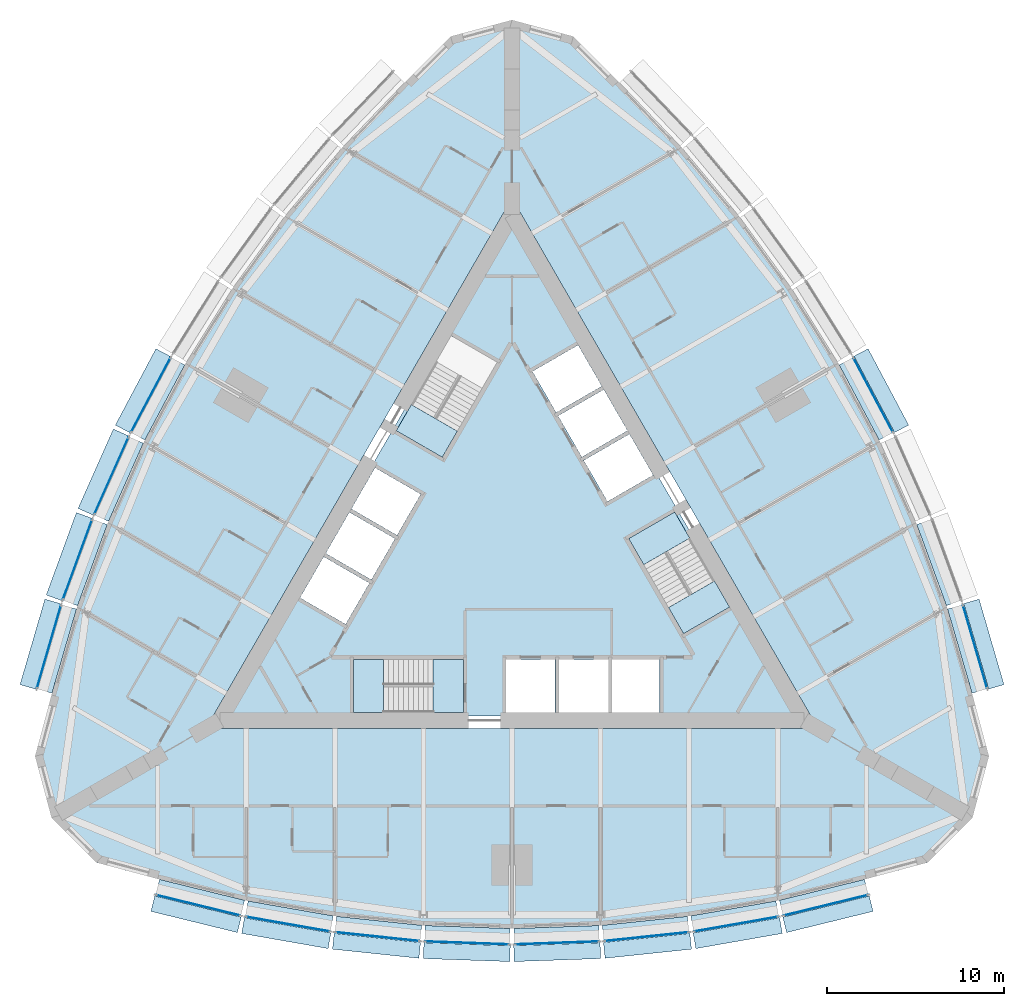
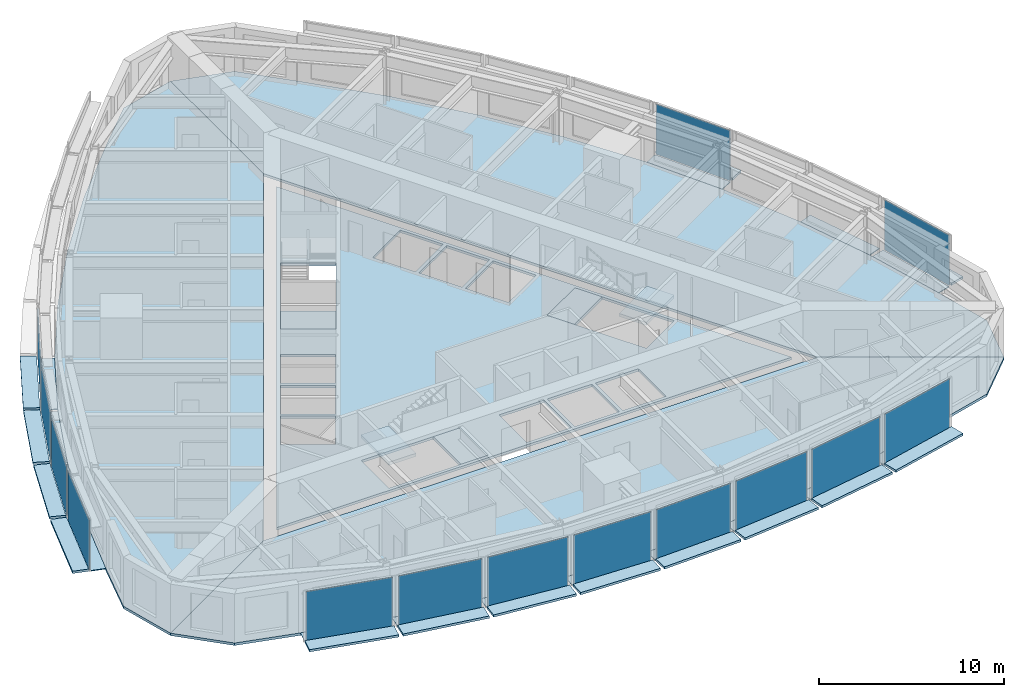
# One storey, part 6 of 14: 43 plates, 9 slabs, 17 elements without a shape of their own.
"""IFC4 building model written with IfcOpenShell, lengths in metres."""

from ifc_helpers import new_model, si_unit, direction, frame, origin, origin_2d, place, context, subcontext, project, spatial, polyline, rectangle, outline, extrude, material, layer, layer_set, type_object, element, aggregate, save


model = new_model("IFC4")

# Units and contexts
model_context = context("Model", 3, precision=1e-05, world=origin(), true_north=direction((0.0, 1.0)))
body_context = subcontext(model_context, "Body", "Model", "MODEL_VIEW")
ifc_project = project(units=[si_unit("LENGTHUNIT", "METRE"), si_unit("AREAUNIT", "SQUARE_METRE"), si_unit("VOLUMEUNIT", "CUBIC_METRE"), si_unit("PLANEANGLEUNIT", "RADIAN"), si_unit("MASSUNIT", "GRAM", prefix="KILO")], contexts=[model_context])

# Site, building, storey
site_placement = place(None, origin())
site = spatial("IfcSite", under=ifc_project, at=site_placement, CompositionType="ELEMENT")
building_placement = place(site_placement, origin())
building = spatial("IfcBuilding", under=site, at=building_placement, Name="Trikona Tower", CompositionType="ELEMENT")
storey_placement = place(building_placement, frame((0.0, 0.0, 175.89990234375)))
storey = spatial("IfcBuildingStorey", under=building, at=storey_placement, Name="L47", CompositionType="ELEMENT", Elevation=175.89990234375)

# Plates
ifc_material_1 = material(Name="Aluminium bar grating", Category="aluminium")
ifc_layer_1 = layer(ifc_material_1, 0.050048828125)
ifc_layer_set_1 = layer_set([ifc_layer_1], Name="Cavity catwalk grating")
plate_type_1 = type_object("IfcPlateType", Name="Cavity catwalk grating", PredefinedType="USERDEFINED", material=ifc_layer_set_1)
plate_1_placement = place(storey_placement, frame((-17.598876953125, -19.49072265625, -0.0498046875), z_axis=(0.0, 0.0, 1.0), x_axis=(0.971274411564, -0.237962218516, 0.0)))
element("IfcPlate", 1, at=plate_1_placement, inside=storey, type_object=plate_type_1, Name="Cavity catwalk L47-00", ObjectType="CATWALK GRATING", PredefinedType="USERDEFINED", context=body_context, shape_type="SweptSolid", body=[
    extrude(rectangle(XDim=4.947998046875, YDim=0.830078125, at=origin_2d()), origin(), (0.0, 0.0, 1.0), 0.050048828125),
])
plate_2_placement = place(storey_placement, frame((-12.571533203125, -20.54638671875, -0.0498046875), z_axis=(0.0, 0.0, 1.0), x_axis=(0.985030604067, -0.172379549401, 0.0)))
element("IfcPlate", 2, at=plate_2_placement, inside=storey, type_object=plate_type_1, Name="Cavity catwalk L47-01", ObjectType="CATWALK GRATING", PredefinedType="USERDEFINED", context=body_context, shape_type="SweptSolid", body=[
    extrude(rectangle(XDim=4.8759765625, YDim=0.830078125, at=origin_2d()), origin(), (0.0, 0.0, 1.0), 0.050048828125),
])
plate_3_placement = place(storey_placement, frame((-7.543212890625, -21.25048828125, -0.0498046875), z_axis=(0.0, 0.0, 1.0), x_axis=(0.994532653854, -0.104426052392, 0.0)))
element("IfcPlate", 3, at=plate_3_placement, inside=storey, type_object=plate_type_1, Name="Cavity catwalk L47-02", ObjectType="CATWALK GRATING", PredefinedType="USERDEFINED", context=body_context, shape_type="SweptSolid", body=[
    extrude(rectangle(XDim=4.827392578125, YDim=0.830078125, at=origin_2d()), origin(), (0.0, 0.0, 1.0), 0.050048828125),
])
for number, where, z_axis, x_axis, name in (
    (4, (-2.514404296875, -21.602294921875, -0.0498046875), (0.0, 0.0, 1.0), (0.999388082937, -0.034977988567, 0.0), "Cavity catwalk L47-03"),
    (5, (2.514404296875, -21.602294921875, -0.0498046875), (0.0, 0.0, 1.0), (0.999388082937, 0.034977988567, 0.0), "Cavity catwalk L47-04"),
):
    element("IfcPlate", number, at=place(storey_placement, frame(where, z_axis=z_axis, x_axis=x_axis)), inside=storey, type_object=plate_type_1, Name=name, ObjectType="CATWALK GRATING", PredefinedType="USERDEFINED", context=body_context, shape_type="SweptSolid", body=[
        extrude(rectangle(XDim=4.802978515625, YDim=0.830078125, at=origin_2d()), origin(), (0.0, 0.0, 1.0), 0.050048828125),
    ])
plate_4_placement = place(storey_placement, frame((7.543212890625, -21.25048828125, -0.0498046875), z_axis=(0.0, 0.0, 1.0), x_axis=(0.994532653854, 0.104426052392, 0.0)))
element("IfcPlate", 6, at=plate_4_placement, inside=storey, type_object=plate_type_1, Name="Cavity catwalk L47-05", ObjectType="CATWALK GRATING", PredefinedType="USERDEFINED", context=body_context, shape_type="SweptSolid", body=[
    extrude(rectangle(XDim=4.827392578125, YDim=0.830078125, at=origin_2d()), origin(), (0.0, 0.0, 1.0), 0.050048828125),
])
plate_5_placement = place(storey_placement, frame((12.571533203125, -20.54638671875, -0.0498046875), z_axis=(0.0, 0.0, 1.0), x_axis=(0.985030604067, 0.172379549401, 0.0)))
element("IfcPlate", 7, at=plate_5_placement, inside=storey, type_object=plate_type_1, Name="Cavity catwalk L47-06", ObjectType="CATWALK GRATING", PredefinedType="USERDEFINED", context=body_context, shape_type="SweptSolid", body=[
    extrude(rectangle(XDim=4.8759765625, YDim=0.830078125, at=origin_2d()), origin(), (0.0, 0.0, 1.0), 0.050048828125),
])
plate_6_placement = place(storey_placement, frame((17.598876953125, -19.49072265625, -0.0498046875), z_axis=(0.0, 0.0, 1.0), x_axis=(0.971274411564, 0.237962218516, 0.0)))
element("IfcPlate", 8, at=plate_6_placement, inside=storey, type_object=plate_type_1, Name="Cavity catwalk L47-07", ObjectType="CATWALK GRATING", PredefinedType="USERDEFINED", context=body_context, shape_type="SweptSolid", body=[
    extrude(rectangle(XDim=4.947998046875, YDim=0.830078125, at=origin_2d()), origin(), (0.0, 0.0, 1.0), 0.050048828125),
])
plate_7_placement = place(storey_placement, frame((25.678955078125, -5.49560546875, -0.0498046875), z_axis=(0.0, 0.0, 1.0), x_axis=(-0.279554203664, 0.960129911634, 0.0)))
element("IfcPlate", 9, at=plate_7_placement, inside=storey, type_object=plate_type_1, Name="Cavity catwalk L47-12", ObjectType="CATWALK GRATING", PredefinedType="USERDEFINED", context=body_context, shape_type="SweptSolid", body=[
    extrude(rectangle(XDim=4.94775390625, YDim=0.830078125, at=origin_2d()), origin(), (0.0, 0.0, 1.0), 0.050048828125),
])
plate_8_placement = place(storey_placement, frame((24.07958984375, -0.614013671875, -0.0498046875), z_axis=(0.0, 0.0, 1.0), x_axis=(-0.343220397324, 0.939254895575, 0.0)))
element("IfcPlate", 10, at=plate_8_placement, inside=storey, type_object=plate_type_1, Name="Cavity catwalk L47-13", ObjectType="CATWALK GRATING", PredefinedType="USERDEFINED", context=body_context, shape_type="SweptSolid", body=[
    extrude(rectangle(XDim=4.8759765625, YDim=0.830078125, at=origin_2d()), origin(), (0.0, 0.0, 1.0), 0.050048828125),
])
for number, where, z_axis, x_axis, name in (
    (11, (19.965576171875, 8.62353515625, -0.0498046875), (0.0, 0.0, 1.0), (-0.469397591494, 0.882986920118, 0.0), "Cavity catwalk L47-15"),
    (12, (-19.965576171875, 8.62353515625, -0.0498046875), (0.0, 0.0, 1.0), (-0.469397591494, -0.882986920118, 0.0), "Cavity catwalk L47-28"),
):
    element("IfcPlate", number, at=place(storey_placement, frame(where, z_axis=z_axis, x_axis=x_axis)), inside=storey, type_object=plate_type_1, Name=name, ObjectType="CATWALK GRATING", PredefinedType="USERDEFINED", context=body_context, shape_type="SweptSolid", body=[
        extrude(rectangle(XDim=4.802978515625, YDim=0.830078125, at=origin_2d()), origin(), (0.0, 0.0, 1.0), 0.050048828125),
    ])
plate_9_placement = place(storey_placement, frame((-22.175048828125, 4.092529296875, -0.0498046875), z_axis=(0.0, 0.0, 1.0), x_axis=(-0.406843467615, -0.913497888809, 0.0)))
element("IfcPlate", 13, at=plate_9_placement, inside=storey, type_object=plate_type_1, Name="Cavity catwalk L47-29", ObjectType="CATWALK GRATING", PredefinedType="USERDEFINED", context=body_context, shape_type="SweptSolid", body=[
    extrude(rectangle(XDim=4.827392578125, YDim=0.830078125, at=origin_2d()), origin(), (0.0, 0.0, 1.0), 0.050048828125),
])
plate_10_placement = place(storey_placement, frame((-24.07958984375, -0.614013671875, -0.0498046875), z_axis=(0.0, 0.0, 1.0), x_axis=(-0.343220397324, -0.939254895575, 0.0)))
element("IfcPlate", 14, at=plate_10_placement, inside=storey, type_object=plate_type_1, Name="Cavity catwalk L47-30", ObjectType="CATWALK GRATING", PredefinedType="USERDEFINED", context=body_context, shape_type="SweptSolid", body=[
    extrude(rectangle(XDim=4.8759765625, YDim=0.830078125, at=origin_2d()), origin(), (0.0, 0.0, 1.0), 0.050048828125),
])
plate_11_placement = place(storey_placement, frame((-25.678955078125, -5.49560546875, -0.0498046875), z_axis=(0.0, 0.0, 1.0), x_axis=(-0.279554203664, -0.960129911634, 0.0)))
element("IfcPlate", 15, at=plate_11_placement, inside=storey, type_object=plate_type_1, Name="Cavity catwalk L47-31", ObjectType="CATWALK GRATING", PredefinedType="USERDEFINED", context=body_context, shape_type="SweptSolid", body=[
    extrude(rectangle(XDim=4.94775390625, YDim=0.830078125, at=origin_2d()), origin(), (0.0, 0.0, 1.0), 0.050048828125),
])

# Slabs
ifc_material_2 = material(Name="Concrete f'c 5000 psi lightweight on composite steel deck", Category="concrete")
ifc_layer_2 = layer(ifc_material_2, 0.1650390625)
ifc_layer_set_2 = layer_set([ifc_layer_2], Name="Composite floor slab 165")
slab_type_1 = type_object("IfcSlabType", Name="Composite floor slab 165", PredefinedType="FLOOR", material=ifc_layer_set_2)
slab_1_placement = place(storey_placement, frame((0.0, 0.0, -0.164794921875)))
element("IfcSlab", 16, at=slab_1_placement, inside=storey, type_object=slab_type_1, Name="Floor slab L47 core", PredefinedType="FLOOR", context=body_context, shape_type="SweptSolid", body=[
    extrude(outline(polyline([(-16.06689453125, -9.2763671875), (16.06689453125, -9.2763671875), (0.0, 18.552490234375), (-16.06689453125, -9.2763671875)]), holes=[polyline([(12.285400390625, -3.126220703125), (9.185302734375, 2.2431640625), (6.587158203125, 0.7431640625), (9.687255859375, -4.626220703125), (12.285400390625, -3.126220703125)]), polyline([(8.340087890625, -9.06640625), (8.340087890625, -6.086181640625), (5.659912109375, -6.086181640625), (5.659912109375, -9.06640625), (8.340087890625, -9.06640625)]), polyline([(5.390869140625, 2.835205078125), (7.9716796875, 4.3251953125), (6.631591796875, 6.646240234375), (4.05078125, 5.15625), (5.390869140625, 2.835205078125)]), polyline([(2.600830078125, 7.667724609375), (3.94091796875, 5.3466796875), (6.521484375, 6.8369140625), (5.181640625, 9.15771484375), (2.600830078125, 7.667724609375)]), polyline([(5.43994140625, -6.086181640625), (2.659912109375, -6.086181640625), (2.659912109375, -9.06640625), (5.43994140625, -9.06640625), (5.43994140625, -6.086181640625)]), polyline([(3.731689453125, 11.669189453125), (1.15087890625, 10.17919921875), (2.490966796875, 7.858154296875), (5.071533203125, 9.34814453125), (3.731689453125, 11.669189453125)]), polyline([(-0.340087890625, -6.086181640625), (-0.340087890625, -9.06640625), (2.43994140625, -9.06640625), (2.43994140625, -6.086181640625), (-0.340087890625, -6.086181640625)]), polyline([(-3.435302734375, 12.202392578125), (-6.535400390625, 6.8330078125), (-3.937255859375, 5.3330078125), (-0.837158203125, 10.702392578125), (-3.435302734375, 12.202392578125)]), polyline([(-8.949951171875, -9.076416015625), (-2.75, -9.076416015625), (-2.75, -6.076416015625), (-8.949951171875, -6.076416015625), (-8.949951171875, -9.076416015625)]), polyline([(-5.15087890625, 3.2509765625), (-7.731689453125, 4.740966796875), (-9.071533203125, 2.419921875), (-6.490966796875, 0.929931640625), (-5.15087890625, 3.2509765625)]), polyline([(-7.94091796875, -1.581298828125), (-6.600830078125, 0.739501953125), (-9.181640625, 2.2294921875), (-10.521484375, -0.09130859375), (-7.94091796875, -1.581298828125)]), polyline([(-11.9716796875, -2.602783203125), (-9.390869140625, -4.093017578125), (-8.05078125, -1.77197265625), (-10.631591796875, -0.281982421875), (-11.9716796875, -2.602783203125)])]), origin(), (0.0, 0.0, 1.0), 0.164794921875),
])
slab_2_placement = place(storey_placement, frame((0.0, 0.0, -0.164794921875)))
element("IfcSlab", 17, at=slab_2_placement, inside=storey, type_object=slab_type_1, Name="Floor slab L47 south", PredefinedType="FLOOR", context=body_context, shape_type="SweptSolid", body=[
    extrude(outline(polyline([(23.464111328125, -17.547119140625), (26.0, -15.010986328125), (17.279296875, -9.976318359375), (-17.279296875, -9.976318359375), (-26.0, -15.010986328125), (-23.464111328125, -17.547119140625), (-20.0, -18.47509765625), (-15.0, -19.7001953125), (-10.0, -20.5751953125), (-5.0, -21.10009765625), (0.0, -21.275146484375), (5.0, -21.10009765625), (10.0, -20.5751953125), (15.0, -19.7001953125), (20.0, -18.47509765625), (23.464111328125, -17.547119140625)])), origin(), (0.0, 0.0, 1.0), 0.164794921875),
])
slab_3_placement = place(storey_placement, frame((0.0, 0.0, -0.164794921875)))
element("IfcSlab", 18, at=slab_3_placement, inside=storey, type_object=slab_type_1, Name="Floor slab L47 north-east", PredefinedType="FLOOR", context=body_context, shape_type="SweptSolid", body=[
    extrude(outline(polyline([(3.464111328125, 29.093994140625), (0.0, 30.022216796875), (0.0, 19.95263671875), (17.279296875, -9.976318359375), (26.0, -15.010986328125), (26.92822265625, -11.547119140625), (26.0, -8.0830078125), (24.560791015625, -3.140380859375), (22.818603515625, 1.62744140625), (20.773193359375, 6.219970703125), (18.4248046875, 10.6376953125), (15.773193359375, 14.880126953125), (12.818603515625, 18.947998046875), (9.560791015625, 22.840576171875), (6.0, 26.55810546875), (3.464111328125, 29.093994140625)])), origin(), (0.0, 0.0, 1.0), 0.164794921875),
])
slab_4_placement = place(storey_placement, frame((0.0, 0.0, -0.164794921875)))
element("IfcSlab", 19, at=slab_4_placement, inside=storey, type_object=slab_type_1, Name="Floor slab L47 north-west", PredefinedType="FLOOR", context=body_context, shape_type="SweptSolid", body=[
    extrude(outline(polyline([(0.0, 19.95263671875), (0.0, 30.022216796875), (-3.464111328125, 29.093994140625), (-6.0, 26.55810546875), (-9.560791015625, 22.840576171875), (-12.818603515625, 18.947998046875), (-15.773193359375, 14.880126953125), (-18.4248046875, 10.6376953125), (-20.773193359375, 6.219970703125), (-22.818603515625, 1.62744140625), (-24.560791015625, -3.140380859375), (-26.0, -8.0830078125), (-26.92822265625, -11.547119140625), (-26.0, -15.010986328125), (-17.279296875, -9.976318359375), (0.0, 19.95263671875)])), origin(), (0.0, 0.0, 1.0), 0.164794921875),
])

# Curtain wall, plate
ifc_material_3 = material(Name="Aluminium curtain wall system", Category="aluminium")
curtain_wall_type = type_object("IfcCurtainWallType", Name="Curtain wall DS2", PredefinedType="NOTDEFINED", material=ifc_material_3)
curtain_wall_1_placement = place(storey_placement, origin())
curtain_wall_1 = element("IfcCurtainWall", 20, at=curtain_wall_1_placement, inside=storey, type_object=curtain_wall_type, Name="Curtain wall DS2 L47", PredefinedType="NOTDEFINED")
ifc_material_4 = material(Name="Laminated clear glass", Category="glass")
ifc_layer_3 = layer(ifc_material_4, 0.028076171875)
ifc_layer_set_3 = layer_set([ifc_layer_3], Name="Glass panel DS2")
plate_type_2 = type_object("IfcPlateType", Name="Glass panel DS2", PredefinedType="CURTAIN_PANEL", material=ifc_layer_set_3)
plate_12_placement = place(storey_placement, frame((-17.714111328125, -19.9619140625, 0.0), z_axis=(0.0, 0.0, 1.0), x_axis=(0.971272455026, -0.237970204243, 0.0)))
plate_12 = element("IfcPlate", 21, at=plate_12_placement, type_object=plate_type_2, Name="CW-DS2 panel 1.1", PredefinedType="CURTAIN_PANEL", context=body_context, shape_type="SweptSolid", body=[
    extrude(rectangle(XDim=4.867919921875, YDim=0.028076171875, at=origin_2d()), origin(), (0.0, 0.0, 1.0), 3.320068359375),
])
aggregate(curtain_wall_1, [plate_12])

curtain_wall_2_placement = place(storey_placement, origin())
curtain_wall_2 = element("IfcCurtainWall", 22, at=curtain_wall_2_placement, inside=storey, type_object=curtain_wall_type, Name="Curtain wall DS2 L47", PredefinedType="NOTDEFINED")
plate_13_placement = place(storey_placement, frame((-12.655029296875, -21.024169921875, 0.0), z_axis=(0.0, 0.0, 1.0), x_axis=(0.985030981074, -0.17237739505, 0.0)))
plate_13 = element("IfcPlate", 23, at=plate_13_placement, type_object=plate_type_2, Name="CW-DS2 panel 1.1", PredefinedType="CURTAIN_PANEL", context=body_context, shape_type="SweptSolid", body=[
    extrude(rectangle(XDim=4.7958984375, YDim=0.028076171875, at=origin_2d()), origin(), (0.0, 0.0, 1.0), 3.320068359375),
])
aggregate(curtain_wall_2, [plate_13])

curtain_wall_3_placement = place(storey_placement, origin())
curtain_wall_3 = element("IfcCurtainWall", 24, at=curtain_wall_3_placement, inside=storey, type_object=curtain_wall_type, Name="Curtain wall DS2 L47", PredefinedType="NOTDEFINED")
plate_14_placement = place(storey_placement, frame((-7.593994140625, -21.732666015625, 0.0), z_axis=(0.0, 0.0, 1.0), x_axis=(0.994531883654, -0.104433387357, 0.0)))
plate_14 = element("IfcPlate", 25, at=plate_14_placement, type_object=plate_type_2, Name="CW-DS2 panel 1.1", PredefinedType="CURTAIN_PANEL", context=body_context, shape_type="SweptSolid", body=[
    extrude(rectangle(XDim=4.747314453125, YDim=0.028076171875, at=origin_2d()), origin(), (0.0, 0.0, 1.0), 3.320068359375),
])
aggregate(curtain_wall_3, [plate_14])

curtain_wall_4_placement = place(storey_placement, origin())
curtain_wall_4 = element("IfcCurtainWall", 26, at=curtain_wall_4_placement, inside=storey, type_object=curtain_wall_type, Name="Curtain wall DS2 L47", PredefinedType="NOTDEFINED")
plate_15_placement = place(storey_placement, frame((-2.531494140625, -22.087158203125, 0.0), z_axis=(0.0, 0.0, 1.0), x_axis=(0.99938737114, -0.034998320052, 0.0)))
plate_15 = element("IfcPlate", 27, at=plate_15_placement, type_object=plate_type_2, Name="CW-DS2 panel 1.1", PredefinedType="CURTAIN_PANEL", context=body_context, shape_type="SweptSolid", body=[
    extrude(rectangle(XDim=4.72314453125, YDim=0.028076171875, at=origin_2d()), origin(), (0.0, 0.0, 1.0), 3.320068359375),
])
aggregate(curtain_wall_4, [plate_15])

curtain_wall_5_placement = place(storey_placement, origin())
curtain_wall_5 = element("IfcCurtainWall", 28, at=curtain_wall_5_placement, inside=storey, type_object=curtain_wall_type, Name="Curtain wall DS2 L47", PredefinedType="NOTDEFINED")
plate_16_placement = place(storey_placement, frame((2.531494140625, -22.087158203125, 0.0), z_axis=(0.0, 0.0, 1.0), x_axis=(0.99938737114, 0.034998320052, 0.0)))
plate_16 = element("IfcPlate", 29, at=plate_16_placement, type_object=plate_type_2, Name="CW-DS2 panel 1.1", PredefinedType="CURTAIN_PANEL", context=body_context, shape_type="SweptSolid", body=[
    extrude(rectangle(XDim=4.72314453125, YDim=0.028076171875, at=origin_2d()), origin(), (0.0, 0.0, 1.0), 3.320068359375),
])
aggregate(curtain_wall_5, [plate_16])

curtain_wall_6_placement = place(storey_placement, origin())
curtain_wall_6 = element("IfcCurtainWall", 30, at=curtain_wall_6_placement, inside=storey, type_object=curtain_wall_type, Name="Curtain wall DS2 L47", PredefinedType="NOTDEFINED")
plate_17_placement = place(storey_placement, frame((7.593994140625, -21.732666015625, 0.0), z_axis=(0.0, 0.0, 1.0), x_axis=(0.994531883654, 0.104433387357, 0.0)))
plate_17 = element("IfcPlate", 31, at=plate_17_placement, type_object=plate_type_2, Name="CW-DS2 panel 1.1", PredefinedType="CURTAIN_PANEL", context=body_context, shape_type="SweptSolid", body=[
    extrude(rectangle(XDim=4.747314453125, YDim=0.028076171875, at=origin_2d()), origin(), (0.0, 0.0, 1.0), 3.320068359375),
])
aggregate(curtain_wall_6, [plate_17])

curtain_wall_7_placement = place(storey_placement, origin())
curtain_wall_7 = element("IfcCurtainWall", 32, at=curtain_wall_7_placement, inside=storey, type_object=curtain_wall_type, Name="Curtain wall DS2 L47", PredefinedType="NOTDEFINED")
plate_18_placement = place(storey_placement, frame((12.655029296875, -21.024169921875, 0.0), z_axis=(0.0, 0.0, 1.0), x_axis=(0.985030981074, 0.17237739505, 0.0)))
plate_18 = element("IfcPlate", 33, at=plate_18_placement, type_object=plate_type_2, Name="CW-DS2 panel 1.1", PredefinedType="CURTAIN_PANEL", context=body_context, shape_type="SweptSolid", body=[
    extrude(rectangle(XDim=4.7958984375, YDim=0.028076171875, at=origin_2d()), origin(), (0.0, 0.0, 1.0), 3.320068359375),
])
aggregate(curtain_wall_7, [plate_18])

curtain_wall_8_placement = place(storey_placement, origin())
curtain_wall_8 = element("IfcCurtainWall", 34, at=curtain_wall_8_placement, inside=storey, type_object=curtain_wall_type, Name="Curtain wall DS2 L47", PredefinedType="NOTDEFINED")
plate_19_placement = place(storey_placement, frame((17.714111328125, -19.9619140625, 0.0), z_axis=(0.0, 0.0, 1.0), x_axis=(0.971272455026, 0.237970204243, 0.0)))
plate_19 = element("IfcPlate", 35, at=plate_19_placement, type_object=plate_type_2, Name="CW-DS2 panel 1.1", PredefinedType="CURTAIN_PANEL", context=body_context, shape_type="SweptSolid", body=[
    extrude(rectangle(XDim=4.867919921875, YDim=0.028076171875, at=origin_2d()), origin(), (0.0, 0.0, 1.0), 3.320068359375),
])
aggregate(curtain_wall_8, [plate_19])

curtain_wall_9_placement = place(storey_placement, origin())
curtain_wall_9 = element("IfcCurtainWall", 36, at=curtain_wall_9_placement, inside=storey, type_object=curtain_wall_type, Name="Curtain wall DS2 L47", PredefinedType="NOTDEFINED")
plate_20_placement = place(storey_placement, frame((26.14453125, -5.360107421875, 0.0), z_axis=(0.0, 0.0, 1.0), x_axis=(-0.279543247757, 0.96013310152, 0.0)))
plate_20 = element("IfcPlate", 37, at=plate_20_placement, type_object=plate_type_2, Name="CW-DS2 panel 1.1", PredefinedType="CURTAIN_PANEL", context=body_context, shape_type="SweptSolid", body=[
    extrude(rectangle(XDim=4.867919921875, YDim=0.028076171875, at=origin_2d()), origin(), (0.0, 0.0, 1.0), 3.320068359375),
])
aggregate(curtain_wall_9, [plate_20])

curtain_wall_10_placement = place(storey_placement, origin())
curtain_wall_10 = element("IfcCurtainWall", 38, at=curtain_wall_10_placement, inside=storey, type_object=curtain_wall_type, Name="Curtain wall DS2 L47", PredefinedType="NOTDEFINED")
plate_21_placement = place(storey_placement, frame((20.393798828125, 8.851318359375, 0.0), z_axis=(0.0, 0.0, 1.0), x_axis=(-0.469380308937, 0.882996107343, 0.0)))
plate_21 = element("IfcPlate", 39, at=plate_21_placement, type_object=plate_type_2, Name="CW-DS2 panel 1.1", PredefinedType="CURTAIN_PANEL", context=body_context, shape_type="SweptSolid", body=[
    extrude(rectangle(XDim=4.72314453125, YDim=0.028076171875, at=origin_2d()), origin(), (0.0, 0.0, 1.0), 3.320068359375),
])
aggregate(curtain_wall_10, [plate_21])

curtain_wall_11_placement = place(storey_placement, origin())
curtain_wall_11 = element("IfcCurtainWall", 40, at=curtain_wall_11_placement, inside=storey, type_object=curtain_wall_type, Name="Curtain wall DS2 L47", PredefinedType="NOTDEFINED")
plate_22_placement = place(storey_placement, frame((-20.393798828125, 8.851318359375, 0.0), z_axis=(0.0, 0.0, 1.0), x_axis=(-0.469380308937, -0.882996107343, 0.0)))
plate_22 = element("IfcPlate", 41, at=plate_22_placement, type_object=plate_type_2, Name="CW-DS2 panel 1.1", PredefinedType="CURTAIN_PANEL", context=body_context, shape_type="SweptSolid", body=[
    extrude(rectangle(XDim=4.72314453125, YDim=0.028076171875, at=origin_2d()), origin(), (0.0, 0.0, 1.0), 3.320068359375),
])
aggregate(curtain_wall_11, [plate_22])

curtain_wall_12_placement = place(storey_placement, origin())
curtain_wall_12 = element("IfcCurtainWall", 42, at=curtain_wall_12_placement, inside=storey, type_object=curtain_wall_type, Name="Curtain wall DS2 L47", PredefinedType="NOTDEFINED")
plate_23_placement = place(storey_placement, frame((-22.6181640625, 4.289794921875, 0.0), z_axis=(0.0, 0.0, 1.0), x_axis=(-0.406836013132, -0.913501208767, 0.0)))
plate_23 = element("IfcPlate", 43, at=plate_23_placement, type_object=plate_type_2, Name="CW-DS2 panel 1.1", PredefinedType="CURTAIN_PANEL", context=body_context, shape_type="SweptSolid", body=[
    extrude(rectangle(XDim=4.747314453125, YDim=0.028076171875, at=origin_2d()), origin(), (0.0, 0.0, 1.0), 3.320068359375),
])
aggregate(curtain_wall_12, [plate_23])

curtain_wall_13_placement = place(storey_placement, origin())
curtain_wall_13 = element("IfcCurtainWall", 44, at=curtain_wall_13_placement, inside=storey, type_object=curtain_wall_type, Name="Curtain wall DS2 L47", PredefinedType="NOTDEFINED")
plate_24_placement = place(storey_placement, frame((-24.53515625, -0.447509765625, 0.0), z_axis=(0.0, 0.0, 1.0), x_axis=(-0.343223420143, -0.939253790978, 0.0)))
plate_24 = element("IfcPlate", 45, at=plate_24_placement, type_object=plate_type_2, Name="CW-DS2 panel 1.1", PredefinedType="CURTAIN_PANEL", context=body_context, shape_type="SweptSolid", body=[
    extrude(rectangle(XDim=4.7958984375, YDim=0.028076171875, at=origin_2d()), origin(), (0.0, 0.0, 1.0), 3.320068359375),
])
aggregate(curtain_wall_13, [plate_24])

curtain_wall_14_placement = place(storey_placement, origin())
curtain_wall_14 = element("IfcCurtainWall", 46, at=curtain_wall_14_placement, inside=storey, type_object=curtain_wall_type, Name="Curtain wall DS2 L47", PredefinedType="NOTDEFINED")
plate_25_placement = place(storey_placement, frame((-26.14453125, -5.360107421875, 0.0), z_axis=(0.0, 0.0, 1.0), x_axis=(-0.279543247757, -0.96013310152, 0.0)))
plate_25 = element("IfcPlate", 47, at=plate_25_placement, type_object=plate_type_2, Name="CW-DS2 panel 1.1", PredefinedType="CURTAIN_PANEL", context=body_context, shape_type="SweptSolid", body=[
    extrude(rectangle(XDim=4.867919921875, YDim=0.028076171875, at=origin_2d()), origin(), (0.0, 0.0, 1.0), 3.320068359375),
])
aggregate(curtain_wall_14, [plate_25])

# Plates
ifc_material_5 = material(Name="Aluminium plate fin, pale anodised, on stainless steel outriggers", Category="steel")
ifc_layer_4 = layer(ifc_material_5, 0.14990234375)
ifc_layer_set_4 = layer_set([ifc_layer_4], Name="Outer skin fin 900")
plate_type_3 = type_object("IfcPlateType", Name="Outer skin fin 900", PredefinedType="USERDEFINED", material=ifc_layer_set_4)
plate_26_placement = place(storey_placement, frame((-17.837890625, -20.466796875, 0.000244140625), z_axis=(0.0, 0.0, 1.0), x_axis=(0.971274411564, -0.237962218516, 0.0)))
element("IfcPlate", 48, at=plate_26_placement, inside=storey, type_object=plate_type_3, Name="Outer skin fin L47-00", ObjectType="FIN", PredefinedType="USERDEFINED", context=body_context, shape_type="SweptSolid", body=[
    extrude(rectangle(XDim=5.02783203125, YDim=0.89990234375, at=origin_2d()), origin(), (0.0, 0.0, 1.0), 0.14990234375),
])
plate_27_placement = place(storey_placement, frame((-12.744873046875, -21.536376953125, 0.000244140625), z_axis=(0.0, 0.0, 1.0), x_axis=(0.985030604067, -0.172379549401, 0.0)))
element("IfcPlate", 49, at=plate_27_placement, inside=storey, type_object=plate_type_3, Name="Outer skin fin L47-01", ObjectType="FIN", PredefinedType="USERDEFINED", context=body_context, shape_type="SweptSolid", body=[
    extrude(rectangle(XDim=4.9560546875, YDim=0.89990234375, at=origin_2d()), origin(), (0.0, 0.0, 1.0), 0.14990234375),
])
plate_28_placement = place(storey_placement, frame((-7.648193359375, -22.25, 0.000244140625), z_axis=(0.0, 0.0, 1.0), x_axis=(0.994532653854, -0.104426052392, 0.0)))
element("IfcPlate", 50, at=plate_28_placement, inside=storey, type_object=plate_type_3, Name="Outer skin fin L47-02", ObjectType="FIN", PredefinedType="USERDEFINED", context=body_context, shape_type="SweptSolid", body=[
    extrude(rectangle(XDim=4.907470703125, YDim=0.89990234375, at=origin_2d()), origin(), (0.0, 0.0, 1.0), 0.14990234375),
])
for number, where, z_axis, x_axis, name in (
    (51, (-2.5498046875, -22.606689453125, 0.000244140625), (0.0, 0.0, 1.0), (0.999388082937, -0.034977988567, 0.0), "Outer skin fin L47-03"),
    (52, (2.5498046875, -22.606689453125, 0.000244140625), (0.0, 0.0, 1.0), (0.999388082937, 0.034977988567, 0.0), "Outer skin fin L47-04"),
):
    element("IfcPlate", number, at=place(storey_placement, frame(where, z_axis=z_axis, x_axis=x_axis)), inside=storey, type_object=plate_type_3, Name=name, ObjectType="FIN", PredefinedType="USERDEFINED", context=body_context, shape_type="SweptSolid", body=[
        extrude(rectangle(XDim=4.883056640625, YDim=0.89990234375, at=origin_2d()), origin(), (0.0, 0.0, 1.0), 0.14990234375),
    ])
plate_29_placement = place(storey_placement, frame((7.648193359375, -22.25, 0.000244140625), z_axis=(0.0, 0.0, 1.0), x_axis=(0.994532653854, 0.104426052392, 0.0)))
element("IfcPlate", 53, at=plate_29_placement, inside=storey, type_object=plate_type_3, Name="Outer skin fin L47-05", ObjectType="FIN", PredefinedType="USERDEFINED", context=body_context, shape_type="SweptSolid", body=[
    extrude(rectangle(XDim=4.907470703125, YDim=0.89990234375, at=origin_2d()), origin(), (0.0, 0.0, 1.0), 0.14990234375),
])
plate_30_placement = place(storey_placement, frame((12.744873046875, -21.536376953125, 0.000244140625), z_axis=(0.0, 0.0, 1.0), x_axis=(0.985030604067, 0.172379549401, 0.0)))
element("IfcPlate", 54, at=plate_30_placement, inside=storey, type_object=plate_type_3, Name="Outer skin fin L47-06", ObjectType="FIN", PredefinedType="USERDEFINED", context=body_context, shape_type="SweptSolid", body=[
    extrude(rectangle(XDim=4.9560546875, YDim=0.89990234375, at=origin_2d()), origin(), (0.0, 0.0, 1.0), 0.14990234375),
])
for number, where, z_axis, x_axis, name in (
    (55, (17.837890625, -20.466796875, 0.000244140625), (0.0, 0.0, 1.0), (0.971274411564, 0.237962218516, 0.0), "Outer skin fin L47-07"),
    (56, (26.643798828125, -5.214599609375, 0.000244140625), (0.0, 0.0, 1.0), (-0.279554203664, 0.960129911634, 0.0), "Outer skin fin L47-12"),
):
    element("IfcPlate", number, at=place(storey_placement, frame(where, z_axis=z_axis, x_axis=x_axis)), inside=storey, type_object=plate_type_3, Name=name, ObjectType="FIN", PredefinedType="USERDEFINED", context=body_context, shape_type="SweptSolid", body=[
        extrude(rectangle(XDim=5.02783203125, YDim=0.89990234375, at=origin_2d()), origin(), (0.0, 0.0, 1.0), 0.14990234375),
    ])
for number, where, z_axis, x_axis, name in (
    (57, (20.852783203125, 9.09521484375, 0.000244140625), (0.0, 0.0, 1.0), (-0.469397591494, 0.882986920118, 0.0), "Outer skin fin L47-15"),
    (58, (-20.852783203125, 9.09521484375, 0.000244140625), (0.0, 0.0, 1.0), (-0.469397591494, -0.882986920118, 0.0), "Outer skin fin L47-28"),
):
    element("IfcPlate", number, at=place(storey_placement, frame(where, z_axis=z_axis, x_axis=x_axis)), inside=storey, type_object=plate_type_3, Name=name, ObjectType="FIN", PredefinedType="USERDEFINED", context=body_context, shape_type="SweptSolid", body=[
        extrude(rectangle(XDim=4.883056640625, YDim=0.89990234375, at=origin_2d()), origin(), (0.0, 0.0, 1.0), 0.14990234375),
    ])
plate_31_placement = place(storey_placement, frame((-23.09326171875, 4.50146484375, 0.000244140625), z_axis=(0.0, 0.0, 1.0), x_axis=(-0.406843467615, -0.913497888809, 0.0)))
element("IfcPlate", 59, at=plate_31_placement, inside=storey, type_object=plate_type_3, Name="Outer skin fin L47-29", ObjectType="FIN", PredefinedType="USERDEFINED", context=body_context, shape_type="SweptSolid", body=[
    extrude(rectangle(XDim=4.907470703125, YDim=0.89990234375, at=origin_2d()), origin(), (0.0, 0.0, 1.0), 0.14990234375),
])
plate_32_placement = place(storey_placement, frame((-25.0234375, -0.26904296875, 0.000244140625), z_axis=(0.0, 0.0, 1.0), x_axis=(-0.343220397324, -0.939254895575, 0.0)))
element("IfcPlate", 60, at=plate_32_placement, inside=storey, type_object=plate_type_3, Name="Outer skin fin L47-30", ObjectType="FIN", PredefinedType="USERDEFINED", context=body_context, shape_type="SweptSolid", body=[
    extrude(rectangle(XDim=4.9560546875, YDim=0.89990234375, at=origin_2d()), origin(), (0.0, 0.0, 1.0), 0.14990234375),
])
plate_33_placement = place(storey_placement, frame((-26.643798828125, -5.214599609375, 0.000244140625), z_axis=(0.0, 0.0, 1.0), x_axis=(-0.279554203664, -0.960129911634, 0.0)))
element("IfcPlate", 61, at=plate_33_placement, inside=storey, type_object=plate_type_3, Name="Outer skin fin L47-31", ObjectType="FIN", PredefinedType="USERDEFINED", context=body_context, shape_type="SweptSolid", body=[
    extrude(rectangle(XDim=5.02783203125, YDim=0.89990234375, at=origin_2d()), origin(), (0.0, 0.0, 1.0), 0.14990234375),
])

# Stair, slabs
ifc_material_6 = material(Name="Concrete f'c 5000 psi", Category="concrete")
stair_type = type_object("IfcStairType", Name="Core stair", PredefinedType="HALF_TURN_STAIR", material=ifc_material_6)
stair_1_placement = place(storey_placement, origin())
stair_1 = element("IfcStair", 62, at=stair_1_placement, inside=storey, type_object=stair_type, Name="Stair A L47", PredefinedType="HALF_TURN_STAIR")
ifc_material_7 = material(Name="Concrete f'c 5000 psi", Category="concrete")
ifc_layer_5 = layer(ifc_material_7, 0.199951171875)
ifc_layer_set_5 = layer_set([ifc_layer_5], Name="Stair landing 200")
slab_type_2 = type_object("IfcSlabType", Name="Stair landing 200", PredefinedType="LANDING", material=ifc_layer_set_5)
slab_5_placement = place(storey_placement, frame((0.0, 0.0, -0.199951171875)))
slab_5 = element("IfcSlab", 63, at=slab_5_placement, type_object=slab_type_2, Name="ST-A landing 1", PredefinedType="LANDING", context=body_context, shape_type="SweptSolid", body=[
    extrude(outline(polyline([(-4.452880859375, -6.076416015625), (-2.75, -6.076416015625), (-2.75, -9.076416015625), (-4.452880859375, -9.076416015625), (-4.452880859375, -6.076416015625)])), origin(), (0.0, 0.0, 1.0), 0.199951171875),
])
slab_6_placement = place(storey_placement, frame((0.0, 0.0, 1.5)))
slab_6 = element("IfcSlab", 64, at=slab_6_placement, type_object=slab_type_2, Name="ST-A landing 2", PredefinedType="LANDING", context=body_context, shape_type="SweptSolid", body=[
    extrude(outline(polyline([(-8.949951171875, -6.076416015625), (-7.2470703125, -6.076416015625), (-7.2470703125, -9.076416015625), (-8.949951171875, -9.076416015625), (-8.949951171875, -6.076416015625)])), origin(), (0.0, 0.0, 1.0), 0.2001953125),
])
aggregate(stair_1, [slab_5, slab_6])

stair_2_placement = place(storey_placement, origin())
stair_2 = element("IfcStair", 65, at=stair_2_placement, inside=storey, type_object=stair_type, Name="Stair B L47", PredefinedType="HALF_TURN_STAIR")
slab_7_placement = place(storey_placement, frame((0.0, 0.0, -0.199951171875)))
slab_7 = element("IfcSlab", 66, at=slab_7_placement, type_object=slab_type_2, Name="ST-B landing 1", PredefinedType="LANDING", context=body_context, shape_type="SweptSolid", body=[
    extrude(outline(polyline([(7.438720703125, -0.731689453125), (6.587158203125, 0.7431640625), (9.185302734375, 2.2431640625), (10.036865234375, 0.768310546875), (7.438720703125, -0.731689453125)])), origin(), (0.0, 0.0, 1.0), 0.199951171875),
])
slab_8_placement = place(storey_placement, frame((0.0, 0.0, 1.5)))
slab_8 = element("IfcSlab", 67, at=slab_8_placement, type_object=slab_type_2, Name="ST-B landing 2", PredefinedType="LANDING", context=body_context, shape_type="SweptSolid", body=[
    extrude(outline(polyline([(9.687255859375, -4.626220703125), (8.835693359375, -3.1513671875), (11.433837890625, -1.6513671875), (12.285400390625, -3.126220703125), (9.687255859375, -4.626220703125)])), origin(), (0.0, 0.0, 1.0), 0.2001953125),
])
aggregate(stair_2, [slab_7, slab_8])

# Stair, slab
stair_3_placement = place(storey_placement, origin())
stair_3 = element("IfcStair", 68, at=stair_3_placement, inside=storey, type_object=stair_type, Name="Stair C L47", PredefinedType="HALF_TURN_STAIR")
slab_9_placement = place(storey_placement, frame((0.0, 0.0, -0.199951171875)))
slab_9 = element("IfcSlab", 69, at=slab_9_placement, type_object=slab_type_2, Name="ST-C landing 1", PredefinedType="LANDING", context=body_context, shape_type="SweptSolid", body=[
    extrude(outline(polyline([(-3.085693359375, 6.807861328125), (-3.937255859375, 5.3330078125), (-6.535400390625, 6.8330078125), (-5.683837890625, 8.307861328125), (-3.085693359375, 6.807861328125)])), origin(), (0.0, 0.0, 1.0), 0.199951171875),
])
aggregate(stair_3, [slab_9])

save(model, "model.ifc")
